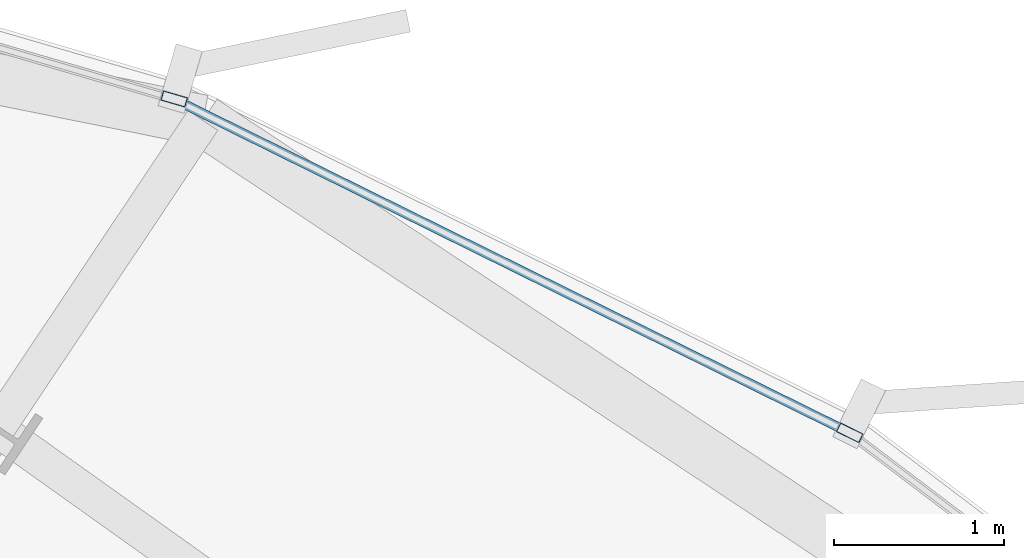
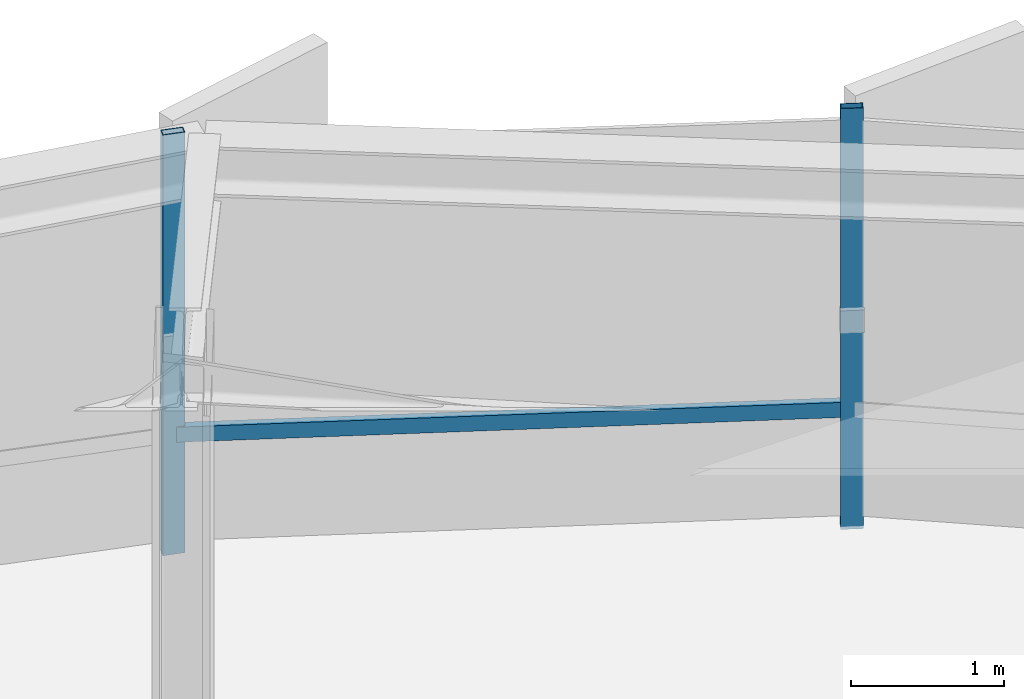
# One storey, part 23 of 34: 3 members, 1 element without a shape of its own.
"""IFC4 building model written with IfcOpenShell, lengths in metres."""

from ifc_helpers import new_model, si_unit, direction, frame, origin, origin_2d, place, context, subcontext, project, spatial, hollow_rectangle, extrude, source, transform, mapped, material, layer, layer_set, material_profile, profile_set, type_object, element, aggregate, save


model = new_model("IFC4")

# Units and contexts
model_context = context("Model", 3, precision=1e-05, world=origin(), true_north=direction((0.0, 1.0)))
body_context = subcontext(model_context, "Body", "Model", "MODEL_VIEW")
ifc_project = project(units=[si_unit("LENGTHUNIT", "METRE"), si_unit("AREAUNIT", "SQUARE_METRE"), si_unit("VOLUMEUNIT", "CUBIC_METRE"), si_unit("PLANEANGLEUNIT", "RADIAN"), si_unit("MASSUNIT", "GRAM", prefix="KILO"), si_unit("THERMODYNAMICTEMPERATUREUNIT", "KELVIN")], contexts=[model_context])

# Site, building, storey
site_placement = place(None, origin())
site = spatial("IfcSite", under=ifc_project, at=site_placement, CompositionType="ELEMENT")
building_placement = place(site_placement, origin())
building = spatial("IfcBuilding", under=site, at=building_placement, Name="Kethvar Cultural Tower", CompositionType="ELEMENT")
storey_placement = place(building_placement, frame((0.0, 0.0, 125.199951171875)))
storey = spatial("IfcBuildingStorey", under=building, at=storey_placement, Name="L31", CompositionType="ELEMENT", Elevation=125.199951171875)

# Curtain wall, members
ifc_material = material(Name="Aluminium 6063-T6", Category="aluminium")
ifc_layer = layer(ifc_material, 0.179931640625, Name="Aluminium 6063-T6", Category="aluminium")
ifc_layer_set = layer_set([ifc_layer], Name="Aluminium 6063-T6 (180 mm)")
curtain_wall_type = type_object("IfcCurtainWallType", Name="CW-SYS-03-Z2", PredefinedType="NOTDEFINED", material=ifc_layer_set)
curtain_wall_placement = place(storey_placement, origin())
curtain_wall = element("IfcCurtainWall", 1, at=curtain_wall_placement, inside=storey, type_object=curtain_wall_type, Name="L31 Curtain Wall Run 01", PredefinedType="NOTDEFINED")
ifc_material_profile_1 = material_profile(ifc_material, hollow_rectangle(XDim=0.06005859375, YDim=0.14990234375, WallThickness=0.0048828125, at=origin_2d()), Name="Aluminium 6063-T6 — RHS150x60x5")
ifc_profile_set_1 = profile_set([ifc_material_profile_1], Name="Aluminium 6063-T6 — RHS150x60x5")
member_type_1 = type_object("IfcMemberType", Name="CW-SYS-03-Z2-MUL", PredefinedType="MULLION", material=ifc_profile_set_1)
shared_shape_1 = source(origin(), body_context, "Body", "SweptSolid", [
    extrude(hollow_rectangle(XDim=0.06005859375, YDim=0.14990234375, WallThickness=0.0048828125, at=origin_2d()), origin(), (0.0, 0.0, 1.0), 3.35009765625),
])
member_1_placement = place(storey_placement, frame((65.425537109375, 48.136474609375, 0.0), z_axis=(0.0, 0.0, 1.0), x_axis=(-0.442711282417, -0.896664218323, 0.0)))
member_1 = element("IfcMember", 2, at=member_1_placement, type_object=member_type_1, Name="CW-L31-R01 Mullion 4", PredefinedType="MULLION", context=body_context, shape_type="MappedRepresentation", body=[
    mapped(shared_shape_1, transform((0.0, 0.0, 0.0), scale=1.0)),
])
member_2_placement = place(storey_placement, frame((61.448486328125, 50.101806640625, 0.0), z_axis=(0.0, 0.0, 1.0), x_axis=(-0.280180871877, -0.959947227213, 0.0)))
member_2 = element("IfcMember", 3, at=member_2_placement, type_object=member_type_1, Name="CW-L31-R01 Mullion 5", PredefinedType="MULLION", context=body_context, shape_type="MappedRepresentation", body=[
    mapped(shared_shape_1, transform((0.0, 0.0, 0.0), scale=1.0)),
])
ifc_material_profile_2 = material_profile(ifc_material, hollow_rectangle(XDim=0.054931640625, YDim=0.1201171875, WallThickness=0.00390625, at=origin_2d()), Name="Aluminium 6063-T6 — RHS120x55x4")
ifc_profile_set_2 = profile_set([ifc_material_profile_2], Name="Aluminium 6063-T6 — RHS120x55x4")
member_type_2 = type_object("IfcMemberType", Name="CW-SYS-03-Z2-TRN", PredefinedType="USERDEFINED", material=ifc_profile_set_2)
shared_shape_2 = source(origin(), body_context, "Body", "SweptSolid", [
    extrude(hollow_rectangle(XDim=0.054931640625, YDim=0.1201171875, WallThickness=0.00390625, at=origin_2d()), origin(), (0.0, 0.0, 1.0), 4.369873046875),
])
member_3_placement = place(storey_placement, frame((65.38671875, 48.155517578125, 0.949951171875), z_axis=(-0.896661895887, 0.44271598623, 0.0), x_axis=(-0.44271598623, -0.896661895887, 0.0)))
member_3 = element("IfcMember", 4, at=member_3_placement, type_object=member_type_2, Name="CW-L31-R01 Transom 4", ObjectType="TRANSOM", PredefinedType="USERDEFINED", context=body_context, shape_type="MappedRepresentation", body=[
    mapped(shared_shape_2, transform((0.0, 0.0, 0.0), scale=1.0)),
])
aggregate(curtain_wall, [member_1, member_2, member_3])

save(model, "model.ifc")
